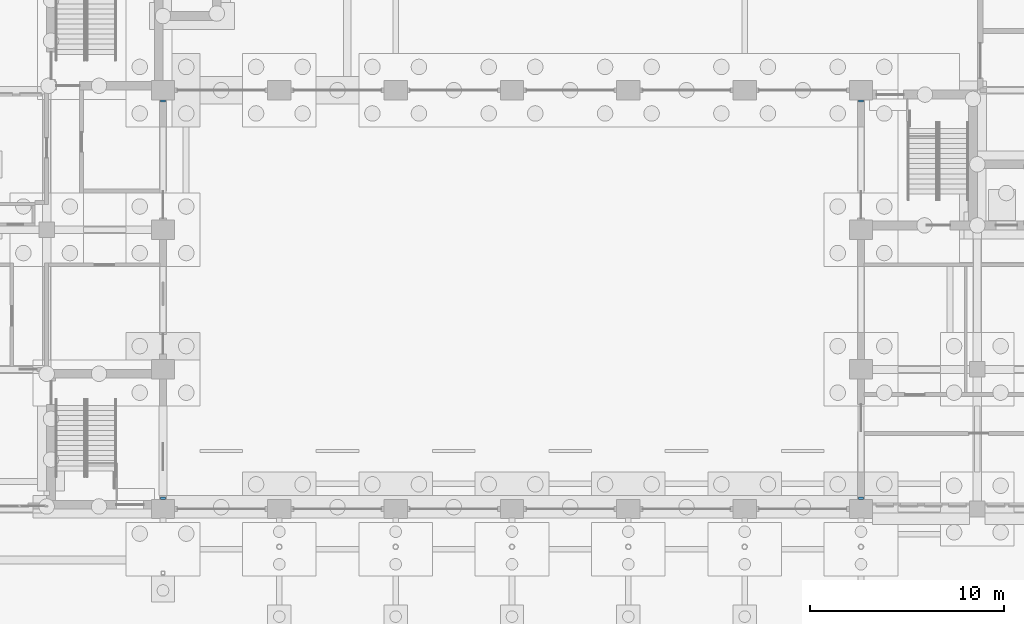
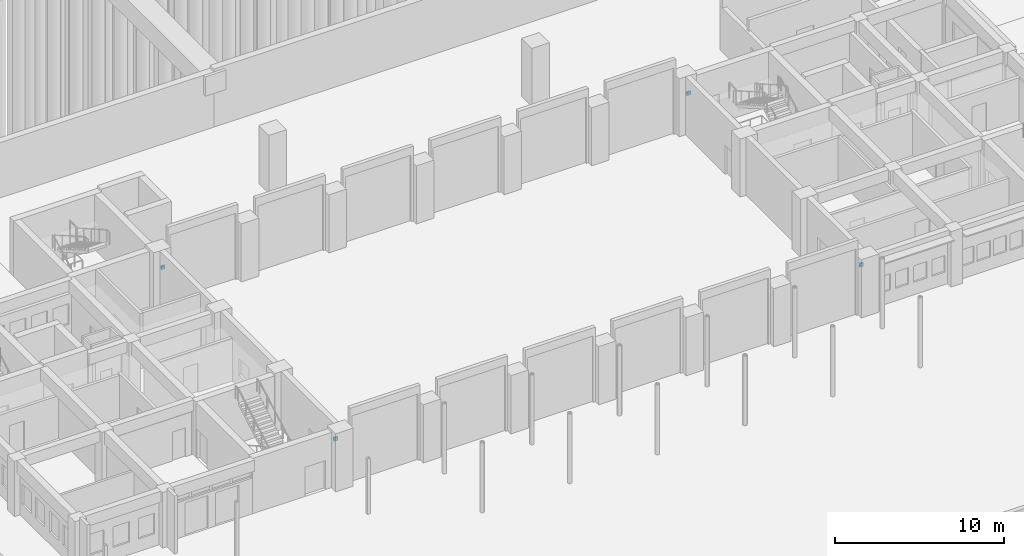
# One storey, part 32 of 37: 4 discrete accessories.
"""IFC4 building model written with IfcOpenShell, lengths in metres."""

from ifc_helpers import new_model, si_unit, direction, frame, origin, origin_2d, place, context, subcontext, project, spatial, rectangle, extrude, material, type_object, element, save


model = new_model("IFC4")

# Units and contexts
model_context = context("Model", 3, precision=1e-05, world=origin(), true_north=direction((0.0, 1.0)))
body_context = subcontext(model_context, "Body", "Model", "MODEL_VIEW")
ifc_project = project(units=[si_unit("LENGTHUNIT", "METRE"), si_unit("AREAUNIT", "SQUARE_METRE"), si_unit("VOLUMEUNIT", "CUBIC_METRE"), si_unit("PLANEANGLEUNIT", "RADIAN"), si_unit("MASSUNIT", "GRAM", prefix="KILO")], contexts=[model_context])

# Site, building, storey
site_placement = place(None, origin())
site = spatial("IfcSite", under=ifc_project, at=site_placement, CompositionType="ELEMENT")
building_placement = place(site_placement, origin())
building = spatial("IfcBuilding", under=site, at=building_placement, Name="Laocheng Heights Fire and Rescue Headquarters", CompositionType="ELEMENT")
storey_placement = place(building_placement, origin())
storey = spatial("IfcBuildingStorey", under=building, at=storey_placement, Name="L00", CompositionType="ELEMENT", Elevation=0.0)

# Discrete accessories
ifc_material_1 = material(Name="Steel, red painted", Category="steel")
discrete_accessory_type_1 = type_object("IfcDiscreteAccessoryType", Name="DOOR ALARM BELL 250 x 120", PredefinedType="USERDEFINED", material=ifc_material_1)
for number, where, z_axis, x_axis, name in (
    (1, (18.0, 0.56005859375, 2.875), (0.0, 0.0, 1.0), (1.0, 0.0, 0.0), "Door alarm bell front gable"),
    (2, (18.0, 21.0400390625, 2.875), (0.0, 0.0, 1.0), (1.0, 0.0, 0.0), "Door alarm bell rear gable"),
):
    element("IfcDiscreteAccessory", number, at=place(storey_placement, frame(where, z_axis=z_axis, x_axis=x_axis)), inside=storey, type_object=discrete_accessory_type_1, Name=name, ObjectType="DOOR ALARM BELL", PredefinedType="USERDEFINED", context=body_context, shape_type="SweptSolid", body=[
        extrude(rectangle(XDim=0.25, YDim=0.1201171875, at=origin_2d()), origin(), (0.0, 0.0, 1.0), 0.25),
    ])
ifc_material_2 = material(Name="Steel and polycarbonate, amber", Category="steel")
discrete_accessory_type_2 = type_object("IfcDiscreteAccessoryType", Name="VEHICLE-OUT WARNING LIGHT 250 x 120", PredefinedType="USERDEFINED", material=ifc_material_2)
for number, where, z_axis, x_axis, name in (
    (3, (54.0, 0.56005859375, 2.875), (0.0, 0.0, 1.0), (1.0, 0.0, 0.0), "Vehicle-out warning light front gable"),
    (4, (54.0, 21.0400390625, 2.875), (0.0, 0.0, 1.0), (1.0, 0.0, 0.0), "Vehicle-out warning light rear gable"),
):
    element("IfcDiscreteAccessory", number, at=place(storey_placement, frame(where, z_axis=z_axis, x_axis=x_axis)), inside=storey, type_object=discrete_accessory_type_2, Name=name, ObjectType="VEHICLE-OUT WARNING LIGHT", PredefinedType="USERDEFINED", context=body_context, shape_type="SweptSolid", body=[
        extrude(rectangle(XDim=0.25, YDim=0.1201171875, at=origin_2d()), origin(), (0.0, 0.0, 1.0), 0.25),
    ])

save(model, "model.ifc")
